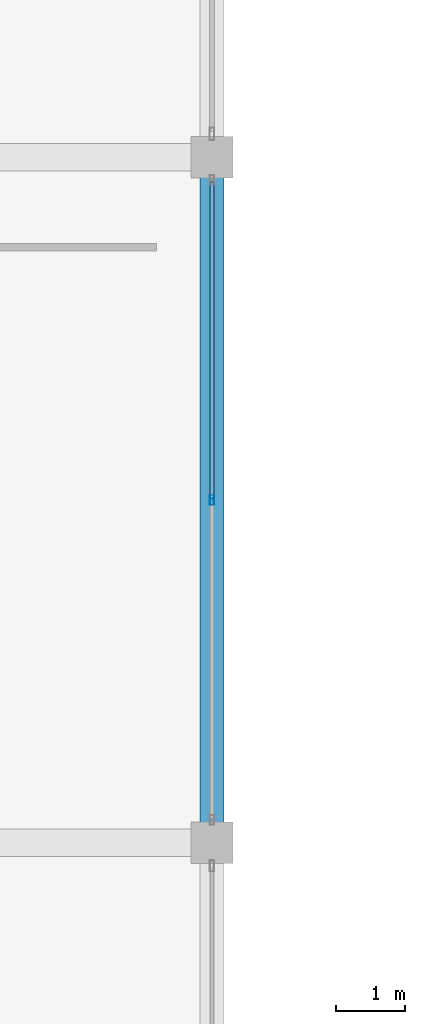
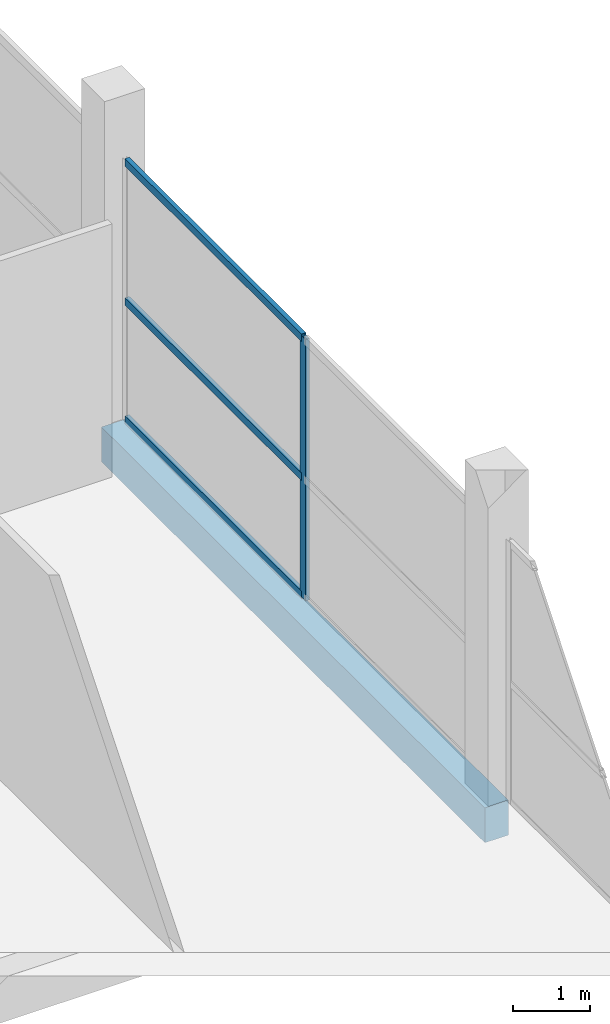
# One storey, part 34 of 66: 4 members, 1 beam, 1 element without a shape of its own.
"""IFC4 building model written with IfcOpenShell, lengths in metres."""

from ifc_helpers import new_model, si_unit, direction, frame, origin, origin_2d, place, context, subcontext, project, spatial, rectangle, hollow_rectangle, extrude, material, layer, layer_set, material_profile, profile_set, type_object, element, aggregate, save


model = new_model("IFC4")

# Units and contexts
model_context = context("Model", 3, precision=1e-05, world=origin(), true_north=direction((0.0, 1.0)))
body_context = subcontext(model_context, "Body", "Model", "MODEL_VIEW")
ifc_project = project(units=[si_unit("LENGTHUNIT", "METRE"), si_unit("AREAUNIT", "SQUARE_METRE"), si_unit("VOLUMEUNIT", "CUBIC_METRE"), si_unit("PLANEANGLEUNIT", "RADIAN"), si_unit("MASSUNIT", "GRAM", prefix="KILO")], contexts=[model_context])

# Site, building, storey
site_placement = place(None, origin())
site = spatial("IfcSite", under=ifc_project, at=site_placement, CompositionType="ELEMENT")
building_placement = place(site_placement, origin())
building = spatial("IfcBuilding", under=site, at=building_placement, Name="Sillaruma Civic Art Gallery", CompositionType="ELEMENT")
storey_placement = place(building_placement, frame((0.0, 0.0, 57.1201171875)))
storey = spatial("IfcBuildingStorey", under=building, at=storey_placement, Name="L11", CompositionType="ELEMENT", Elevation=57.1201171875)

# Beam
ifc_material_1 = material(Name="Concrete H35 (35 MPa)", Category="concrete")
ifc_material_profile_1 = material_profile(ifc_material_1, rectangle(XDim=0.35009765625, YDim=0.550048828125, at=origin_2d()), Name="RCB350x550")
ifc_profile_set_1 = profile_set([ifc_material_profile_1], Name="Concrete H35 (35 MPa)")
beam_type = type_object("IfcBeamType", Name="BM-SPANDREL-RCB350x550", PredefinedType="SPANDREL", material=ifc_profile_set_1)
beam_placement = place(storey_placement, frame((114.39990234375, 59.39990234375, -0.525146484375), z_axis=(0.0, 1.0, 0.0), x_axis=(-1.0, 0.0, 0.0)))
element("IfcBeam", 1, at=beam_placement, inside=storey, type_object=beam_type, Name="Beam BS-04 (L10:N:7-8)", PredefinedType="SPANDREL", context=body_context, shape_type="SweptSolid", body=[
    extrude(rectangle(XDim=0.35009765625, YDim=0.550048828125, at=origin_2d()), origin(), (0.0, 0.0, 1.0), 9.900146484375),
])

# Curtain wall, members
ifc_material_2 = material(Name="Thermally Broken Extruded Aluminium 6063-T6", Category="aluminium")
ifc_layer = layer(ifc_material_2, 0.139892578125, Name="Thermally Broken Extruded Aluminium 6063-T6")
ifc_layer_set = layer_set([ifc_layer], Name="Thermally Broken Extruded Aluminium 6063-T6")
curtain_wall_type = type_object("IfcCurtainWallType", Name="CW-UNI-82", PredefinedType="NOTDEFINED", material=ifc_layer_set)
curtain_wall_placement = place(storey_placement, origin())
curtain_wall = element("IfcCurtainWall", 2, at=curtain_wall_placement, inside=storey, type_object=curtain_wall_type, Name="Unitised Curtain Wall CW-82 (CW-L11-EBE-5)", PredefinedType="NOTDEFINED")
ifc_material_profile_2 = material_profile(ifc_material_2, hollow_rectangle(XDim=0.06005859375, YDim=0.139892578125, WallThickness=0.00341796875, at=origin_2d()), Name="CWM60x140")
ifc_profile_set_2 = profile_set([ifc_material_profile_2], Name="Thermally Broken Extruded Aluminium 6063-T6")
member_type_1 = type_object("IfcMemberType", Name="MEM-MUL-CWM60x140", PredefinedType="MULLION", material=ifc_profile_set_2)
member_1_placement = place(storey_placement, frame((114.39990234375, 64.35009765625, 0.0), z_axis=(0.0, 0.0, 1.0), x_axis=(-1.0, 0.0, 0.0)))
member_1 = element("IfcMember", 3, at=member_1_placement, type_object=member_type_1, Name="CW-82 mullion 2", PredefinedType="MULLION", context=body_context, shape_type="SweptSolid", body=[
    extrude(hollow_rectangle(XDim=0.06005859375, YDim=0.139892578125, WallThickness=0.00341796875, at=origin_2d()), origin(), (0.0, 0.0, 1.0), 4.119873046875),
])
ifc_material_profile_3 = material_profile(ifc_material_2, hollow_rectangle(XDim=0.06494140625, YDim=0.1201171875, WallThickness=0.00341796875, at=origin_2d()), Name="CWT65x120")
ifc_profile_set_3 = profile_set([ifc_material_profile_3], Name="Thermally Broken Extruded Aluminium 6063-T6")
member_type_2 = type_object("IfcMemberType", Name="MEM-TRN-CWT65x120", PredefinedType="USERDEFINED", material=ifc_profile_set_3)
member_2_placement = place(storey_placement, frame((114.39990234375, 64.3798828125, 0.032470703125), z_axis=(0.0, 1.0, 0.0), x_axis=(-1.0, 0.0, 0.0)))
member_2 = element("IfcMember", 4, at=member_2_placement, type_object=member_type_2, Name="CW-82 transom 2.1", ObjectType="TRANSOM", PredefinedType="USERDEFINED", context=body_context, shape_type="SweptSolid", body=[
    extrude(hollow_rectangle(XDim=0.06494140625, YDim=0.1201171875, WallThickness=0.00341796875, at=origin_2d()), origin(), (0.0, 0.0, 1.0), 4.56005859375),
])
member_3_placement = place(storey_placement, frame((114.39990234375, 64.3798828125, 1.89501953125), z_axis=(0.0, 1.0, 0.0), x_axis=(-1.0, 0.0, 0.0)))
member_3 = element("IfcMember", 5, at=member_3_placement, type_object=member_type_2, Name="CW-82 transom 2.2", ObjectType="TRANSOM", PredefinedType="USERDEFINED", context=body_context, shape_type="SweptSolid", body=[
    extrude(hollow_rectangle(XDim=0.06494140625, YDim=0.1201171875, WallThickness=0.00341796875, at=origin_2d()), origin(), (0.0, 0.0, 1.0), 4.56005859375),
])
member_4_placement = place(storey_placement, frame((114.39990234375, 64.3798828125, 4.08740234375), z_axis=(0.0, 1.0, 0.0), x_axis=(-1.0, 0.0, 0.0)))
member_4 = element("IfcMember", 6, at=member_4_placement, type_object=member_type_2, Name="CW-82 transom 2.3", ObjectType="TRANSOM", PredefinedType="USERDEFINED", context=body_context, shape_type="SweptSolid", body=[
    extrude(hollow_rectangle(XDim=0.06494140625, YDim=0.1201171875, WallThickness=0.00341796875, at=origin_2d()), origin(), (0.0, 0.0, 1.0), 4.56005859375),
])
aggregate(curtain_wall, [member_1, member_2, member_3, member_4])

save(model, "model.ifc")
